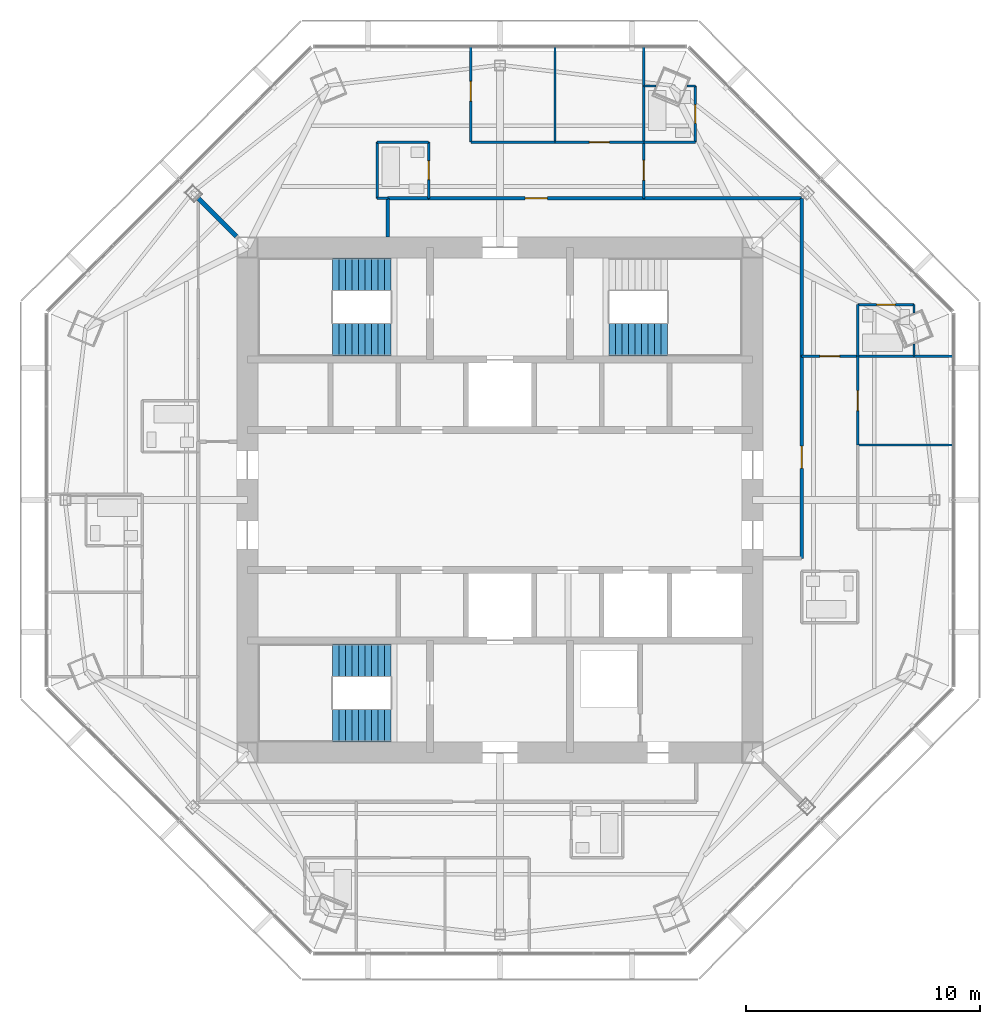
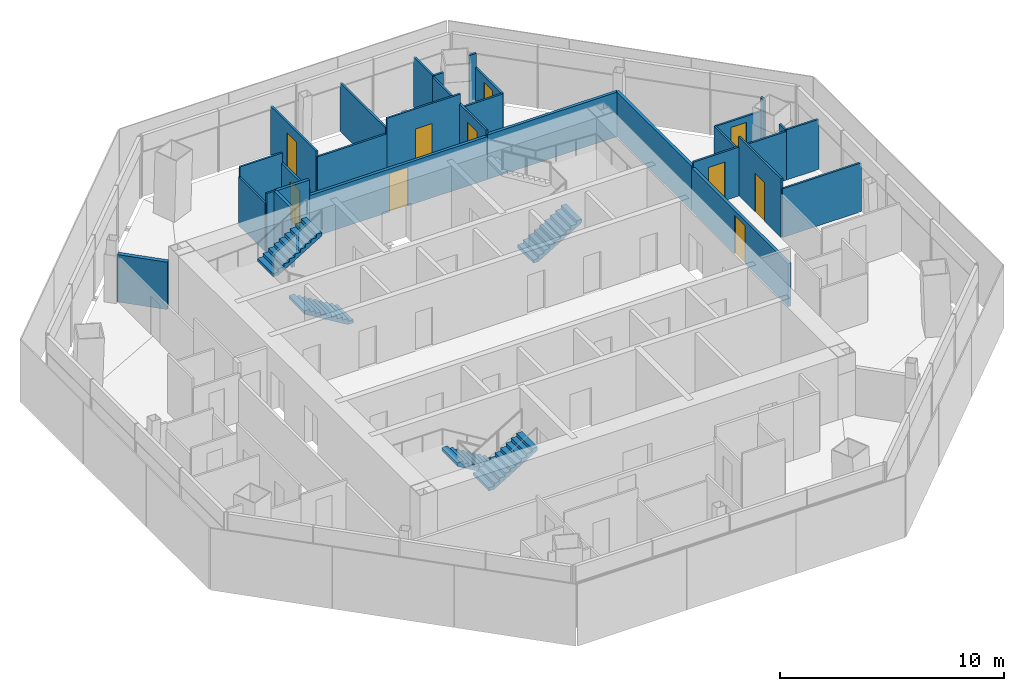
# One storey, part 11 of 15: 29 walls, 10 doors, 5 stair flights, 10 openings, 3 elements without a shape of their own.
"""IFC4 building model written with IfcOpenShell, lengths in metres."""

import ifcopenshell
import ifcopenshell.guid

model = None  # the IFC model being written
_history = None  # IfcOwnerHistory: only IFC2X3 demands one
_inside = {}  # id of a spatial element -> (the spatial element, [elements in it])
_under = {}  # id of a project, library or spatial element -> (it, [spatial elements below it])
_declared = {}  # id of a project -> (the project, [libraries it declares])
_typed = {}  # id of a type object -> (the type object, [elements of that type])
_made_of = {}  # id of a material, layer set ... -> (it, [elements and type objects made of it])


def new_model(schema):
    """Start an empty IFC model of exactly this schema.

    Asked for "IFC4X3", IfcOpenShell would pick the latest addendum, in which some entities
    have other attributes; the version numbers below select the first issue.
    IFC2X3 requires an IfcOwnerHistory on every rooted entity: one is made here for all.
    """
    global model, _history
    if schema == "IFC4X3":
        model = ifcopenshell.file(schema_version=(4, 3, 0, 0))
    else:
        model = ifcopenshell.file(schema=schema)
    _inside.clear()
    _under.clear()
    _declared.clear()
    _typed.clear()
    _made_of.clear()
    _history = None
    if model.schema == "IFC2X3":
        org = make("IfcOrganization", Name="unknown")
        user = make(
            "IfcPersonAndOrganization",
            ThePerson=make("IfcPerson", FamilyName="unknown"),
            TheOrganization=org,
        )
        app = make(
            "IfcApplication",
            ApplicationDeveloper=org,
            Version="unknown",
            ApplicationFullName="unknown",
            ApplicationIdentifier="unknown",
        )
        _history = make(
            "IfcOwnerHistory",
            OwningUser=user,
            OwningApplication=app,
            ChangeAction="ADDED",
            CreationDate=0,
        )
    return model


def make(cls, **values):
    """One entity of the class cls with the attributes given. An attribute that is None is left unset."""
    return model.create_entity(
        cls, **{name: value for name, value in values.items() if value is not None}
    )


def rooted(cls, **values):
    """An entity with a GlobalId (a new one), such as an element, a storey or a relation."""
    return make(cls, GlobalId=ifcopenshell.guid.new(), OwnerHistory=_history, **values)


def si_unit(unit_type, name, prefix=None):
    """IfcSIUnit, for example si_unit("LENGTHUNIT", "METRE", prefix="MILLI")."""
    return make("IfcSIUnit", UnitType=unit_type, Prefix=prefix, Name=name)


def assignment(units):
    """IfcUnitAssignment: the units of a project."""
    return None if units is None else make("IfcUnitAssignment", Units=units)


def point(xyz):
    """IfcCartesianPoint."""
    return None if xyz is None else make("IfcCartesianPoint", Coordinates=xyz)


def direction(xyz):
    """IfcDirection."""
    return None if xyz is None else make("IfcDirection", DirectionRatios=xyz)


def frame(location, z_axis=None, x_axis=None):
    """IfcAxis2Placement3D, a coordinate frame: its origin and axes. An axis left out is left unset."""
    return make(
        "IfcAxis2Placement3D",
        Location=point(location),
        Axis=direction(z_axis),
        RefDirection=direction(x_axis),
    )


def frame_2d(location, x_axis=None):
    """IfcAxis2Placement2D, a coordinate frame in the plane: its origin and x axis."""
    return make(
        "IfcAxis2Placement2D", Location=point(location), RefDirection=direction(x_axis)
    )


def origin():
    """The frame at (0, 0, 0) with its axes left unset."""
    return frame((0.0, 0.0, 0.0))


def place(relative_to, where):
    """IfcLocalPlacement: puts the frame where relative to a parent placement (None: the world)."""
    return make(
        "IfcLocalPlacement", PlacementRelTo=relative_to, RelativePlacement=where
    )


def context(
    kind, dimensions, precision=None, world=None, true_north=None, identifier=None
):
    """IfcGeometricRepresentationContext, for example the 3D "Model" context."""
    return make(
        "IfcGeometricRepresentationContext",
        ContextIdentifier=identifier,
        ContextType=kind,
        CoordinateSpaceDimension=dimensions,
        Precision=precision,
        WorldCoordinateSystem=world,
        TrueNorth=true_north,
    )


def subcontext(parent, identifier, kind, view, scale=None):
    """IfcGeometricRepresentationSubContext, for example "Body" below "Model"."""
    return make(
        "IfcGeometricRepresentationSubContext",
        ContextIdentifier=identifier,
        ContextType=kind,
        ParentContext=parent,
        TargetScale=scale,
        TargetView=view,
    )


def project(units=None, contexts=None):
    """IfcProject with its units and contexts."""
    return rooted(
        "IfcProject",
        Name="project",
        RepresentationContexts=contexts,
        UnitsInContext=assignment(units),
    )


def spatial(cls, under=None, at=None, **own):
    """A site, building, storey or space (cls), placed at a placement, below another one or the project."""
    s = rooted(cls, ObjectPlacement=at, **own)
    if under is not None:
        _under.setdefault(under.id(), (under, []))[1].append(s)
    return s


def polyline(points):
    """IfcPolyline through the points."""
    return make("IfcPolyline", Points=[point(p) for p in points])


def profile(cls, at=None, kind="AREA", **sizes):
    """A parametric profile (cls). Its sizes go by their IFC names, for example OverallWidth=200.0."""
    return make(cls, ProfileType=kind, Position=at, **sizes)


def rectangle(**sizes):
    """IfcRectangleProfileDef."""
    return profile("IfcRectangleProfileDef", **sizes)


def outline(outer, holes=None, kind="AREA"):
    """IfcArbitraryClosedProfileDef: a profile drawn as a closed curve; with holes, ...WithVoids."""
    if holes is None:
        return make("IfcArbitraryClosedProfileDef", ProfileType=kind, OuterCurve=outer)
    return make(
        "IfcArbitraryProfileDefWithVoids",
        ProfileType=kind,
        OuterCurve=outer,
        InnerCurves=holes,
    )


def extrude(swept, where, along, depth):
    """IfcExtrudedAreaSolid: the profile swept, set in the frame where, extruded along a direction by depth."""
    return make(
        "IfcExtrudedAreaSolid",
        SweptArea=swept,
        Position=where,
        ExtrudedDirection=direction(along),
        Depth=depth,
    )


def shape(context_of_items, identifier, shape_type, items):
    """IfcShapeRepresentation: the items that make up one representation, for example the "Body"."""
    return make(
        "IfcShapeRepresentation",
        ContextOfItems=context_of_items,
        RepresentationIdentifier=identifier,
        RepresentationType=shape_type,
        Items=items,
    )


def material(Name=None, Category=None):
    """IfcMaterial."""
    return make("IfcMaterial", Name=Name, Category=Category)


def layer(
    of_material, thickness, ventilated=None, Name=None, Category=None, Priority=None
):
    """IfcMaterialLayer: one layer of a wall or slab, of a material (None: an air gap)."""
    return make(
        "IfcMaterialLayer",
        Material=of_material,
        LayerThickness=thickness,
        IsVentilated=ventilated,
        Name=Name,
        Category=Category,
        Priority=Priority,
    )


def layer_set(layers, Name=None):
    """IfcMaterialLayerSet."""
    return make("IfcMaterialLayerSet", MaterialLayers=layers, LayerSetName=Name)


def made_of(thing, what):
    """Note that an element or type object is made of a material, layer set ...; save() writes the relation."""
    if what is not None:
        _made_of.setdefault(what.id(), (what, []))[1].append(thing)
    return thing


def type_object(cls, material=None, **own):
    """A type object (cls), such as IfcWallType, which elements share."""
    return made_of(rooted(cls, **own), material)


def element(
    cls,
    number,
    at=None,
    inside=None,
    cuts=None,
    type_object=None,
    material=None,
    context=None,
    identifier="Body",
    shape_type=None,
    held_by="IfcProductDefinitionShape",
    body=None,
    shapes=None,
    **own,
):
    """One element of the class cls, such as IfcWall. Its Tag is "e" and its number.

    at: its placement. inside: the storey or other place that contains it. cuts: it is an
    opening in that element (IfcRelVoidsElement). A single representation is given by context,
    identifier, shape_type and body (its items); several are given by shapes. held_by: the class
    of the entity that holds the representations. save() writes the other relations.
    """
    e = rooted(cls, Tag="e%d" % number, ObjectPlacement=at, **own)
    if body is not None:
        shapes = [shape(context, identifier, shape_type, body)]
    if shapes is not None:
        e.Representation = make(held_by, Representations=shapes)
    if inside is not None:
        _inside.setdefault(inside.id(), (inside, []))[1].append(e)
    if cuts is not None:
        rooted(
            "IfcRelVoidsElement", RelatingBuildingElement=cuts, RelatedOpeningElement=e
        )
    if type_object is not None:
        _typed.setdefault(type_object.id(), (type_object, []))[1].append(e)
    return made_of(e, material)


def fill(opening, filler):
    """IfcRelFillsElement: the door or window that sits in an opening."""
    return rooted(
        "IfcRelFillsElement",
        RelatingOpeningElement=opening,
        RelatedBuildingElement=filler,
    )


def aggregate(whole, parts):
    """IfcRelAggregates: a whole, such as a stair, and the parts it consists of."""
    return rooted("IfcRelAggregates", RelatingObject=whole, RelatedObjects=parts)


def save(model, path):
    """Write the relations noted so far, then the file.

    IfcRelAggregates (storeys below a building ...), IfcRelContainedInSpatialStructure (elements
    in a storey), IfcRelDefinesByType, IfcRelAssociatesMaterial and IfcRelDeclares: one each for
    every whole, place, type object, material and project.
    """
    for whole, parts in _under.values():
        aggregate(whole, parts)
    for where, things in _inside.values():
        rooted(
            "IfcRelContainedInSpatialStructure",
            RelatedElements=things,
            RelatingStructure=where,
        )
    for kind, things in _typed.values():
        rooted("IfcRelDefinesByType", RelatedObjects=things, RelatingType=kind)
    for what, things in _made_of.values():
        rooted("IfcRelAssociatesMaterial", RelatedObjects=things, RelatingMaterial=what)
    for by, libraries in _declared.values():
        rooted("IfcRelDeclares", RelatingContext=by, RelatedDefinitions=libraries)
    model.write(path)


model = new_model("IFC4")

# Units and contexts
model_context = context("Model", 3, precision=1e-05, world=origin(), true_north=direction((0.0, 1.0)))
body_context = subcontext(model_context, "Body", "Model", "MODEL_VIEW")
ifc_project = project(units=[si_unit("LENGTHUNIT", "METRE"), si_unit("AREAUNIT", "SQUARE_METRE"), si_unit("VOLUMEUNIT", "CUBIC_METRE"), si_unit("PLANEANGLEUNIT", "RADIAN"), si_unit("MASSUNIT", "GRAM", prefix="KILO")], contexts=[model_context])

# Site, building, storey
site_placement = place(None, origin())
site = spatial("IfcSite", under=ifc_project, at=site_placement, CompositionType="ELEMENT")
building_placement = place(site_placement, origin())
building = spatial("IfcBuilding", under=site, at=building_placement, Name="Mashrafa Tower", CompositionType="ELEMENT")
storey_placement = place(building_placement, frame((0.0, 0.0, 304.800048828125)))
storey = spatial("IfcBuildingStorey", under=building, at=storey_placement, Name="L75", CompositionType="ELEMENT", Elevation=304.800048828125)

# Walls
ifc_material_1 = material(Name="Gypsum board on steel studs", Category="steel")
ifc_layer_1 = layer(ifc_material_1, 0.199951171875)
ifc_layer_set_1 = layer_set([ifc_layer_1], Name="Acoustic partition 200 1 hr")
wall_type_1 = type_object("IfcWallType", Name="Acoustic partition 200 1 hr", PredefinedType="PARTITIONING", material=ifc_layer_set_1)
wall_1_placement = place(storey_placement, frame((-12.90087890625, 12.90087890625, 0.0), z_axis=(0.0, 0.0, 1.0), x_axis=(0.707106781187, -0.707106781187, 0.0)))
element("IfcWall", 1, at=wall_1_placement, inside=storey, type_object=wall_type_1, Name="Acoustic wall L75-049", PredefinedType="PARTITIONING", context=body_context, shape_type="SweptSolid", body=[
    extrude(rectangle(XDim=2.307861328125, YDim=0.199951171875, at=frame_2d((1.15380859375, 0.0))), origin(), (0.0, 0.0, 1.0), 2.590576171875),
])
ifc_material_2 = material(Name="Gypsum board on steel studs", Category="steel")
ifc_layer_2 = layer(ifc_material_2, 0.14990234375)
ifc_layer_set_2 = layer_set([ifc_layer_2], Name="Corridor partition 150 1 hr")
wall_type_2 = type_object("IfcWallType", Name="Corridor partition 150 1 hr", PredefinedType="PARTITIONING", material=ifc_layer_set_2)
wall_2_placement = place(storey_placement, frame((12.89990234375, 6.14892578125, 0.0), z_axis=(0.0, 0.0, 1.0), x_axis=(0.0, 1.0, 0.0)))
element("IfcWall", 2, at=wall_2_placement, inside=storey, type_object=wall_type_2, Name="Corridor wall L75-001", PredefinedType="PARTITIONING", context=body_context, shape_type="SweptSolid", body=[
    extrude(rectangle(XDim=6.7509765625, YDim=0.14990234375, at=frame_2d((3.37548828125, 0.0))), origin(), (0.0, 0.0, 1.0), 2.435546875),
])

# Wall, opening, door
wall_3_placement = place(storey_placement, frame((12.89990234375, -2.5, 0.0), z_axis=(0.0, 0.0, 1.0), x_axis=(0.0, 1.0, 0.0)))
wall_3 = element("IfcWall", 3, at=wall_3_placement, inside=storey, type_object=wall_type_2, Name="Corridor wall L75-003", PredefinedType="PARTITIONING", context=body_context, shape_type="SweptSolid", body=[
    extrude(rectangle(XDim=8.65087890625, YDim=0.14990234375, at=frame_2d((4.325439453125, 0.0))), origin(), (0.0, 0.0, 1.0), 2.349365234375),
])
opening_1_placement = place(wall_3_placement, frame((3.8505859375, 0.0, 0.0)))
opening_1 = element("IfcOpeningElement", 4, at=opening_1_placement, cuts=wall_3, Name="Opening 75.006", PredefinedType="OPENING", context=body_context, shape_type="SweptSolid", body=[
    extrude(rectangle(XDim=0.949951171875, YDim=2.10009765625, at=frame_2d((0.47509765625, 1.050048828125))), frame((0.0, 0.0849609375, 0.0), z_axis=(0.0, -1.0, 0.0), x_axis=(1.0, 0.0, 0.0)), (0.0, 0.0, 1.0), 0.169921875),
])
ifc_material_3 = material(Name="Steel door", Category="steel")
door_type_1 = type_object("IfcDoorType", Name="Residence entrance door 950 x 2100 20 min", OperationType="USERDEFINED", PredefinedType="DOOR", material=ifc_material_3)
door_1_placement = place(opening_1_placement, frame((0.949951171875, 0.0, 0.0), z_axis=(0.0, 0.0, 1.0), x_axis=(-1.0, 0.0, 0.0)))
door_1 = element("IfcDoor", 5, at=door_1_placement, inside=storey, type_object=door_type_1, Name="Apartment 7501 Living Room door", OperationType="SINGLE_SWING_LEFT", OverallHeight=2.10009765625, OverallWidth=0.949951171875, PredefinedType="DOOR", context=body_context, shape_type="SweptSolid", body=[
    extrude(rectangle(XDim=0.949951171875, YDim=2.10009765625, at=frame_2d((0.47509765625, 1.050048828125))), frame((0.0, 0.02490234375, 0.0), z_axis=(0.0, -1.0, 0.0), x_axis=(1.0, 0.0, 0.0)), (0.0, 0.0, 1.0), 0.050048828125),
])
fill(opening_1, door_1)

# Walls
wall_4_placement = place(storey_placement, frame((-3.049072265625, 12.89990234375, 0.0), z_axis=(0.0, 0.0, 1.0), x_axis=(-1.0, 0.0, 0.0)))
element("IfcWall", 6, at=wall_4_placement, inside=storey, type_object=wall_type_2, Name="Corridor wall L75-004", PredefinedType="PARTITIONING", context=body_context, shape_type="SweptSolid", body=[
    extrude(rectangle(XDim=1.7509765625, YDim=0.14990234375, at=frame_2d((0.87548828125, 0.0))), origin(), (0.0, 0.0, 1.0), 3.199951171875),
])
wall_5_placement = place(storey_placement, frame((12.89990234375, 12.89990234375, 0.0), z_axis=(0.0, 0.0, 1.0), x_axis=(-1.0, 0.0, 0.0)))
element("IfcWall", 7, at=wall_5_placement, inside=storey, type_object=wall_type_2, Name="Corridor wall L75-005", PredefinedType="PARTITIONING", context=body_context, shape_type="SweptSolid", body=[
    extrude(rectangle(XDim=6.7509765625, YDim=0.14990234375, at=frame_2d((3.37548828125, 0.0))), origin(), (0.0, 0.0, 1.0), 2.435546875),
])
wall_6_placement = place(storey_placement, frame((-4.800048828125, 12.89990234375, 0.0), z_axis=(0.0, 0.0, 1.0), x_axis=(0.0, -1.0, 0.0)))
element("IfcWall", 8, at=wall_6_placement, inside=storey, type_object=wall_type_2, Name="Corridor wall L75-006", PredefinedType="PARTITIONING", context=body_context, shape_type="SweptSolid", body=[
    extrude(rectangle(XDim=1.64990234375, YDim=0.14990234375, at=frame_2d((0.824951171875, 0.0))), origin(), (0.0, 0.0, 1.0), 3.199951171875),
])

# Wall, opening, door
wall_7_placement = place(storey_placement, frame((6.15087890625, 12.89990234375, 0.0), z_axis=(0.0, 0.0, 1.0), x_axis=(-1.0, 0.0, 0.0)))
wall_7 = element("IfcWall", 9, at=wall_7_placement, inside=storey, type_object=wall_type_2, Name="Corridor wall L75-007", PredefinedType="PARTITIONING", context=body_context, shape_type="SweptSolid", body=[
    extrude(rectangle(XDim=9.201904296875, YDim=0.14990234375, at=frame_2d((4.60107421875, 0.0))), origin(), (0.0, 0.0, 1.0), 2.349365234375),
])
opening_2_placement = place(wall_7_placement, frame((4.1259765625, 0.0, 0.0)))
opening_2 = element("IfcOpeningElement", 10, at=opening_2_placement, cuts=wall_7, Name="Opening 75.012", PredefinedType="OPENING", context=body_context, shape_type="SweptSolid", body=[
    extrude(rectangle(XDim=0.949951171875, YDim=2.10009765625, at=frame_2d((0.47509765625, 1.050048828125))), frame((0.0, 0.0849609375, 0.0), z_axis=(0.0, -1.0, 0.0), x_axis=(1.0, 0.0, 0.0)), (0.0, 0.0, 1.0), 0.169921875),
])
door_2_placement = place(opening_2_placement, frame((0.949951171875, 0.0, 0.0), z_axis=(0.0, 0.0, 1.0), x_axis=(-1.0, 0.0, 0.0)))
door_2 = element("IfcDoor", 11, at=door_2_placement, inside=storey, type_object=door_type_1, Name="Apartment 7502 Living Room door", OperationType="SINGLE_SWING_RIGHT", OverallHeight=2.10009765625, OverallWidth=0.949951171875, PredefinedType="DOOR", context=body_context, shape_type="SweptSolid", body=[
    extrude(rectangle(XDim=0.949951171875, YDim=2.10009765625, at=frame_2d((0.47509765625, 1.050048828125))), frame((0.0, 0.02490234375, 0.0), z_axis=(0.0, -1.0, 0.0), x_axis=(1.0, 0.0, 0.0)), (0.0, 0.0, 1.0), 0.050048828125),
])
fill(opening_2, door_2)

# Wall
ifc_material_4 = material(Name="Gypsum board on steel studs", Category="steel")
ifc_layer_3 = layer(ifc_material_4, 0.10009765625)
ifc_layer_set_3 = layer_set([ifc_layer_3], Name="Partition 100")
wall_type_3 = type_object("IfcWallType", Name="Partition 100", PredefinedType="PARTITIONING", material=ifc_layer_set_3)
wall_8_placement = place(storey_placement, frame((19.37451171875, 2.35009765625, 0.0), z_axis=(0.0, 0.0, 1.0), x_axis=(-1.0, 0.0, 0.0)))
element("IfcWall", 12, at=wall_8_placement, inside=storey, type_object=wall_type_3, Name="Partition wall L75-022", PredefinedType="PARTITIONING", context=body_context, shape_type="SweptSolid", body=[
    extrude(rectangle(XDim=4.074462890625, YDim=0.10009765625, at=frame_2d((2.037109375, 0.0))), origin(), (0.0, 0.0, 1.0), 2.66162109375),
])

# Wall, opening, door
wall_9_placement = place(storey_placement, frame((17.700927734375, 6.14990234375, 0.0), z_axis=(0.0, 0.0, 1.0), x_axis=(-1.0, 0.0, 0.0)))
wall_9 = element("IfcWall", 13, at=wall_9_placement, inside=storey, type_object=wall_type_3, Name="Partition wall L75-025", PredefinedType="PARTITIONING", context=body_context, shape_type="SweptSolid", body=[
    extrude(rectangle(XDim=4.801025390625, YDim=0.10009765625, at=frame_2d((2.400390625, 0.0))), origin(), (0.0, 0.0, 1.0), 2.66162109375),
])
opening_3_placement = place(wall_9_placement, frame((3.176025390625, 0.0, 0.0)))
opening_3 = element("IfcOpeningElement", 14, at=opening_3_placement, cuts=wall_9, Name="Opening 75.005", PredefinedType="OPENING", context=body_context, shape_type="SweptSolid", body=[
    extrude(rectangle(XDim=0.85009765625, YDim=2.10009765625, at=frame_2d((0.425048828125, 1.050048828125))), frame((0.0, 0.06005859375, 0.0), z_axis=(0.0, -1.0, 0.0), x_axis=(1.0, 0.0, 0.0)), (0.0, 0.0, 1.0), 0.1201171875),
])
ifc_material_5 = material(Name="Timber door", Category="wood")
door_type_2 = type_object("IfcDoorType", Name="Bedroom door 850 x 2100", OperationType="USERDEFINED", PredefinedType="DOOR", material=ifc_material_5)
door_3_placement = place(opening_3_placement, frame((0.85009765625, 0.0, 0.0), z_axis=(0.0, 0.0, 1.0), x_axis=(-1.0, 0.0, 0.0)))
door_3 = element("IfcDoor", 15, at=door_3_placement, inside=storey, type_object=door_type_2, Name="Apartment 7501 Bedroom 2 door", OperationType="SINGLE_SWING_LEFT", OverallHeight=2.10009765625, OverallWidth=0.85009765625, PredefinedType="DOOR", context=body_context, shape_type="SweptSolid", body=[
    extrude(rectangle(XDim=0.85009765625, YDim=2.10009765625, at=frame_2d((0.425048828125, 1.050048828125))), frame((0.0, 0.02490234375, 0.0), z_axis=(0.0, -1.0, 0.0), x_axis=(1.0, 0.0, 0.0)), (0.0, 0.0, 1.0), 0.050048828125),
])
fill(opening_3, door_3)

# Wall
wall_10_placement = place(storey_placement, frame((19.37451171875, 6.14990234375, 0.0), z_axis=(0.0, 0.0, 1.0), x_axis=(-1.0, 0.0, 0.0)))
element("IfcWall", 16, at=wall_10_placement, inside=storey, type_object=wall_type_3, Name="Partition wall L75-026", PredefinedType="PARTITIONING", context=body_context, shape_type="SweptSolid", body=[
    extrude(rectangle(XDim=1.675537109375, YDim=0.10009765625, at=frame_2d((0.837890625, 0.0))), origin(), (0.0, 0.0, 1.0), 2.740234375),
])

# Wall, opening, door
wall_11_placement = place(storey_placement, frame((15.300048828125, 6.14990234375, 0.0), z_axis=(0.0, 0.0, 1.0), x_axis=(0.0, -1.0, 0.0)))
wall_11 = element("IfcWall", 17, at=wall_11_placement, inside=storey, type_object=wall_type_3, Name="Partition wall L75-027", PredefinedType="PARTITIONING", context=body_context, shape_type="SweptSolid", body=[
    extrude(rectangle(XDim=3.7998046875, YDim=0.10009765625, at=frame_2d((1.89990234375, 0.0))), origin(), (0.0, 0.0, 1.0), 3.199951171875),
])
opening_4_placement = place(wall_11_placement, frame((1.47509765625, 0.0, 0.0)))
opening_4 = element("IfcOpeningElement", 18, at=opening_4_placement, cuts=wall_11, Name="Opening 75.003", PredefinedType="OPENING", context=body_context, shape_type="SweptSolid", body=[
    extrude(rectangle(XDim=0.85009765625, YDim=2.10009765625, at=frame_2d((0.425048828125, 1.050048828125))), frame((0.0, 0.06005859375, 0.0), z_axis=(0.0, -1.0, 0.0), x_axis=(1.0, 0.0, 0.0)), (0.0, 0.0, 1.0), 0.1201171875),
])
door_4_placement = place(opening_4_placement, origin())
door_4 = element("IfcDoor", 19, at=door_4_placement, inside=storey, type_object=door_type_2, Name="Apartment 7501 Bedroom 1 door", OperationType="SINGLE_SWING_LEFT", OverallHeight=2.10009765625, OverallWidth=0.85009765625, PredefinedType="DOOR", context=body_context, shape_type="SweptSolid", body=[
    extrude(rectangle(XDim=0.85009765625, YDim=2.10009765625, at=frame_2d((0.425048828125, 1.050048828125))), frame((0.0, 0.02490234375, 0.0), z_axis=(0.0, -1.0, 0.0), x_axis=(1.0, 0.0, 0.0)), (0.0, 0.0, 1.0), 0.050048828125),
])
fill(opening_4, door_4)

# Walls
wall_12_placement = place(storey_placement, frame((17.699951171875, 6.14990234375, 0.0), z_axis=(0.0, 0.0, 1.0), x_axis=(0.0, 1.0, 0.0)))
element("IfcWall", 20, at=wall_12_placement, inside=storey, type_object=wall_type_3, Name="Partition wall L75-028", PredefinedType="PARTITIONING", context=body_context, shape_type="SweptSolid", body=[
    extrude(rectangle(XDim=0.51171875, YDim=0.10009765625, at=frame_2d((0.255859375, 0.0))), origin(), (0.0, 0.0, 1.0), 2.740234375),
])
wall_13_placement = place(storey_placement, frame((17.699951171875, 8.001708984375, 0.0), z_axis=(0.0, 0.0, 1.0), x_axis=(0.0, 1.0, 0.0)))
element("IfcWall", 21, at=wall_13_placement, inside=storey, type_object=wall_type_3, Name="Partition wall L75-029", PredefinedType="PARTITIONING", context=body_context, shape_type="SweptSolid", body=[
    extrude(rectangle(XDim=0.348388671875, YDim=0.10009765625, at=frame_2d((0.17431640625, 0.0))), origin(), (0.0, 0.0, 1.0), 3.199951171875),
])

# Wall, opening, door
wall_14_placement = place(storey_placement, frame((17.699951171875, 8.35009765625, 0.0), z_axis=(0.0, 0.0, 1.0), x_axis=(-1.0, 0.0, 0.0)))
wall_14 = element("IfcWall", 22, at=wall_14_placement, inside=storey, type_object=wall_type_3, Name="Partition wall L75-030", PredefinedType="PARTITIONING", context=body_context, shape_type="SweptSolid", body=[
    extrude(rectangle(XDim=2.39990234375, YDim=0.10009765625, at=frame_2d((1.199951171875, 0.0))), origin(), (0.0, 0.0, 1.0), 2.435546875),
])
opening_5_placement = place(wall_14_placement, frame((0.800048828125, 0.0, 0.0)))
opening_5 = element("IfcOpeningElement", 23, at=opening_5_placement, cuts=wall_14, Name="Opening 75.004", PredefinedType="OPENING", context=body_context, shape_type="SweptSolid", body=[
    extrude(rectangle(XDim=0.800048828125, YDim=2.10009765625, at=frame_2d((0.39990234375, 1.050048828125))), frame((0.0, 0.06005859375, 0.0), z_axis=(0.0, -1.0, 0.0), x_axis=(1.0, 0.0, 0.0)), (0.0, 0.0, 1.0), 0.1201171875),
])
ifc_material_6 = material(Name="Timber door", Category="wood")
door_type_3 = type_object("IfcDoorType", Name="Bathroom door 800 x 2100", OperationType="USERDEFINED", PredefinedType="DOOR", material=ifc_material_6)
door_5_placement = place(opening_5_placement, origin())
door_5 = element("IfcDoor", 24, at=door_5_placement, inside=storey, type_object=door_type_3, Name="Apartment 7501 En-suite Bathroom door", OperationType="SINGLE_SWING_RIGHT", OverallHeight=2.10009765625, OverallWidth=0.800048828125, PredefinedType="DOOR", context=body_context, shape_type="SweptSolid", body=[
    extrude(rectangle(XDim=0.800048828125, YDim=2.10009765625, at=frame_2d((0.39990234375, 1.050048828125))), frame((0.0, 0.02490234375, 0.0), z_axis=(0.0, -1.0, 0.0), x_axis=(1.0, 0.0, 0.0)), (0.0, 0.0, 1.0), 0.050048828125),
])
fill(opening_5, door_5)

# Walls
wall_15_placement = place(storey_placement, frame((15.300048828125, 8.35009765625, 0.0), z_axis=(0.0, 0.0, 1.0), x_axis=(0.0, -1.0, 0.0)))
element("IfcWall", 25, at=wall_15_placement, inside=storey, type_object=wall_type_3, Name="Partition wall L75-031", PredefinedType="PARTITIONING", context=body_context, shape_type="SweptSolid", body=[
    extrude(rectangle(XDim=2.2001953125, YDim=0.10009765625, at=frame_2d((1.10009765625, 0.0))), origin(), (0.0, 0.0, 1.0), 2.435546875),
])
wall_16_placement = place(storey_placement, frame((-5.25, 12.89990234375, 0.0), z_axis=(0.0, 0.0, 1.0), x_axis=(0.0, 1.0, 0.0)))
element("IfcWall", 26, at=wall_16_placement, inside=storey, type_object=wall_type_3, Name="Partition wall L75-034", PredefinedType="PARTITIONING", context=body_context, shape_type="SweptSolid", body=[
    extrude(rectangle(XDim=2.400146484375, YDim=0.10009765625, at=frame_2d((1.2001953125, 0.0))), origin(), (0.0, 0.0, 1.0), 2.66162109375),
])
wall_17_placement = place(storey_placement, frame((-5.25, 12.89990234375, 0.0), z_axis=(0.0, 0.0, 1.0), x_axis=(1.0, 0.0, 0.0)))
element("IfcWall", 27, at=wall_17_placement, inside=storey, type_object=wall_type_3, Name="Partition wall L75-035", PredefinedType="PARTITIONING", context=body_context, shape_type="SweptSolid", body=[
    extrude(rectangle(XDim=0.450927734375, YDim=0.10009765625, at=frame_2d((0.2255859375, 0.0))), origin(), (0.0, 0.0, 1.0), 3.199951171875),
])

# Wall, opening, door
wall_18_placement = place(storey_placement, frame((-3.050048828125, 12.89990234375, 0.0), z_axis=(0.0, 0.0, 1.0), x_axis=(0.0, 1.0, 0.0)))
wall_18 = element("IfcWall", 28, at=wall_18_placement, inside=storey, type_object=wall_type_3, Name="Partition wall L75-036", PredefinedType="PARTITIONING", context=body_context, shape_type="SweptSolid", body=[
    extrude(rectangle(XDim=2.400146484375, YDim=0.10009765625, at=frame_2d((1.2001953125, 0.0))), origin(), (0.0, 0.0, 1.0), 2.66162109375),
])
opening_6_placement = place(wall_18_placement, frame((0.800048828125, 0.0, 0.0)))
opening_6 = element("IfcOpeningElement", 29, at=opening_6_placement, cuts=wall_18, Name="Opening 75.007", PredefinedType="OPENING", context=body_context, shape_type="SweptSolid", body=[
    extrude(rectangle(XDim=0.800048828125, YDim=2.10009765625, at=frame_2d((0.39990234375, 1.050048828125))), frame((0.0, 0.06005859375, 0.0), z_axis=(0.0, -1.0, 0.0), x_axis=(1.0, 0.0, 0.0)), (0.0, 0.0, 1.0), 0.1201171875),
])
door_6_placement = place(opening_6_placement, origin())
door_6 = element("IfcDoor", 30, at=door_6_placement, inside=storey, type_object=door_type_3, Name="Apartment 7502 Bathroom door", OperationType="SINGLE_SWING_LEFT", OverallHeight=2.10009765625, OverallWidth=0.800048828125, PredefinedType="DOOR", context=body_context, shape_type="SweptSolid", body=[
    extrude(rectangle(XDim=0.800048828125, YDim=2.10009765625, at=frame_2d((0.39990234375, 1.050048828125))), frame((0.0, 0.02490234375, 0.0), z_axis=(0.0, -1.0, 0.0), x_axis=(1.0, 0.0, 0.0)), (0.0, 0.0, 1.0), 0.050048828125),
])
fill(opening_6, door_6)

# Walls
wall_19_placement = place(storey_placement, frame((-3.050048828125, 15.300048828125, 0.0), z_axis=(0.0, 0.0, 1.0), x_axis=(-1.0, 0.0, 0.0)))
element("IfcWall", 31, at=wall_19_placement, inside=storey, type_object=wall_type_3, Name="Partition wall L75-037", PredefinedType="PARTITIONING", context=body_context, shape_type="SweptSolid", body=[
    extrude(rectangle(XDim=2.199951171875, YDim=0.10009765625, at=frame_2d((1.10009765625, 0.0))), origin(), (0.0, 0.0, 1.0), 3.199951171875),
])
wall_20_placement = place(storey_placement, frame((2.35009765625, 15.300048828125, 0.0), z_axis=(0.0, 0.0, 1.0), x_axis=(0.0, 1.0, 0.0)))
element("IfcWall", 32, at=wall_20_placement, inside=storey, type_object=wall_type_3, Name="Partition wall L75-038", PredefinedType="PARTITIONING", context=body_context, shape_type="SweptSolid", body=[
    extrude(rectangle(XDim=4.074462890625, YDim=0.10009765625, at=frame_2d((2.037109375, 0.0))), origin(), (0.0, 0.0, 1.0), 2.66162109375),
])

# Wall, opening, door
wall_21_placement = place(storey_placement, frame((-1.25, 19.37646484375, 0.0), z_axis=(0.0, 0.0, 1.0), x_axis=(0.0, -1.0, 0.0)))
wall_21 = element("IfcWall", 33, at=wall_21_placement, inside=storey, type_object=wall_type_3, Name="Partition wall L75-039", PredefinedType="PARTITIONING", context=body_context, shape_type="SweptSolid", body=[
    extrude(rectangle(XDim=4.076416015625, YDim=0.10009765625, at=frame_2d((2.0380859375, 0.0))), origin(), (0.0, 0.0, 1.0), 2.66162109375),
])
opening_7_placement = place(wall_21_placement, frame((1.47509765625, 0.0, 0.0)))
opening_7 = element("IfcOpeningElement", 34, at=opening_7_placement, cuts=wall_21, Name="Opening 75.008", PredefinedType="OPENING", context=body_context, shape_type="SweptSolid", body=[
    extrude(rectangle(XDim=0.85009765625, YDim=2.10009765625, at=frame_2d((0.425048828125, 1.050048828125))), frame((0.0, 0.06005859375, 0.0), z_axis=(0.0, -1.0, 0.0), x_axis=(1.0, 0.0, 0.0)), (0.0, 0.0, 1.0), 0.1201171875),
])
door_7_placement = place(opening_7_placement, origin())
door_7 = element("IfcDoor", 35, at=door_7_placement, inside=storey, type_object=door_type_2, Name="Apartment 7502 Majlis door", OperationType="SINGLE_SWING_LEFT", OverallHeight=2.10009765625, OverallWidth=0.85009765625, PredefinedType="DOOR", context=body_context, shape_type="SweptSolid", body=[
    extrude(rectangle(XDim=0.85009765625, YDim=2.10009765625, at=frame_2d((0.425048828125, 1.050048828125))), frame((0.0, 0.02490234375, 0.0), z_axis=(0.0, -1.0, 0.0), x_axis=(1.0, 0.0, 0.0)), (0.0, 0.0, 1.0), 0.050048828125),
])
fill(opening_7, door_7)

# Wall
wall_22_placement = place(storey_placement, frame((-1.25, 15.300048828125, 0.0), z_axis=(0.0, 0.0, 1.0), x_axis=(1.0, 0.0, 0.0)))
element("IfcWall", 36, at=wall_22_placement, inside=storey, type_object=wall_type_3, Name="Partition wall L75-040", PredefinedType="PARTITIONING", context=body_context, shape_type="SweptSolid", body=[
    extrude(rectangle(XDim=3.60009765625, YDim=0.10009765625, at=frame_2d((1.800048828125, 0.0))), origin(), (0.0, 0.0, 1.0), 2.349365234375),
])

# Wall, opening, door
wall_23_placement = place(storey_placement, frame((6.14990234375, 17.700927734375, 0.0), z_axis=(0.0, 0.0, 1.0), x_axis=(0.0, -1.0, 0.0)))
wall_23 = element("IfcWall", 37, at=wall_23_placement, inside=storey, type_object=wall_type_3, Name="Partition wall L75-041", PredefinedType="PARTITIONING", context=body_context, shape_type="SweptSolid", body=[
    extrude(rectangle(XDim=4.801025390625, YDim=0.10009765625, at=frame_2d((2.400390625, 0.0))), origin(), (0.0, 0.0, 1.0), 2.66162109375),
])
opening_8_placement = place(wall_23_placement, frame((3.176025390625, 0.0, 0.0)))
opening_8 = element("IfcOpeningElement", 38, at=opening_8_placement, cuts=wall_23, Name="Opening 75.011", PredefinedType="OPENING", context=body_context, shape_type="SweptSolid", body=[
    extrude(rectangle(XDim=0.85009765625, YDim=2.10009765625, at=frame_2d((0.425048828125, 1.050048828125))), frame((0.0, 0.06005859375, 0.0), z_axis=(0.0, -1.0, 0.0), x_axis=(1.0, 0.0, 0.0)), (0.0, 0.0, 1.0), 0.1201171875),
])
door_8_placement = place(opening_8_placement, origin())
door_8 = element("IfcDoor", 39, at=door_8_placement, inside=storey, type_object=door_type_2, Name="Apartment 7502 Bedroom 2 door", OperationType="SINGLE_SWING_RIGHT", OverallHeight=2.10009765625, OverallWidth=0.85009765625, PredefinedType="DOOR", context=body_context, shape_type="SweptSolid", body=[
    extrude(rectangle(XDim=0.85009765625, YDim=2.10009765625, at=frame_2d((0.425048828125, 1.050048828125))), frame((0.0, 0.02490234375, 0.0), z_axis=(0.0, -1.0, 0.0), x_axis=(1.0, 0.0, 0.0)), (0.0, 0.0, 1.0), 0.050048828125),
])
fill(opening_8, door_8)

# Wall
wall_24_placement = place(storey_placement, frame((6.14990234375, 17.698974609375, 0.0), z_axis=(0.0, 0.0, 1.0), x_axis=(0.0, 1.0, 0.0)))
element("IfcWall", 40, at=wall_24_placement, inside=storey, type_object=wall_type_3, Name="Partition wall L75-042", PredefinedType="PARTITIONING", context=body_context, shape_type="SweptSolid", body=[
    extrude(rectangle(XDim=1.675537109375, YDim=0.10009765625, at=frame_2d((0.837890625, 0.0))), origin(), (0.0, 0.0, 1.0), 2.740234375),
])

# Wall, opening, door
wall_25_placement = place(storey_placement, frame((2.35009765625, 15.300048828125, 0.0), z_axis=(0.0, 0.0, 1.0), x_axis=(1.0, 0.0, 0.0)))
wall_25 = element("IfcWall", 41, at=wall_25_placement, inside=storey, type_object=wall_type_3, Name="Partition wall L75-043", PredefinedType="PARTITIONING", context=body_context, shape_type="SweptSolid", body=[
    extrude(rectangle(XDim=3.7998046875, YDim=0.10009765625, at=frame_2d((1.89990234375, 0.0))), origin(), (0.0, 0.0, 1.0), 3.199951171875),
])
opening_9_placement = place(wall_25_placement, frame((1.47509765625, 0.0, 0.0)))
opening_9 = element("IfcOpeningElement", 42, at=opening_9_placement, cuts=wall_25, Name="Opening 75.009", PredefinedType="OPENING", context=body_context, shape_type="SweptSolid", body=[
    extrude(rectangle(XDim=0.85009765625, YDim=2.10009765625, at=frame_2d((0.425048828125, 1.050048828125))), frame((0.0, 0.06005859375, 0.0), z_axis=(0.0, -1.0, 0.0), x_axis=(1.0, 0.0, 0.0)), (0.0, 0.0, 1.0), 0.1201171875),
])
door_9_placement = place(opening_9_placement, origin())
door_9 = element("IfcDoor", 43, at=door_9_placement, inside=storey, type_object=door_type_2, Name="Apartment 7502 Bedroom 1 door", OperationType="SINGLE_SWING_LEFT", OverallHeight=2.10009765625, OverallWidth=0.85009765625, PredefinedType="DOOR", context=body_context, shape_type="SweptSolid", body=[
    extrude(rectangle(XDim=0.85009765625, YDim=2.10009765625, at=frame_2d((0.425048828125, 1.050048828125))), frame((0.0, 0.02490234375, 0.0), z_axis=(0.0, -1.0, 0.0), x_axis=(1.0, 0.0, 0.0)), (0.0, 0.0, 1.0), 0.050048828125),
])
fill(opening_9, door_9)

# Wall
wall_26_placement = place(storey_placement, frame((6.14990234375, 15.300048828125, 0.0), z_axis=(0.0, 0.0, 1.0), x_axis=(1.0, 0.0, 0.0)))
element("IfcWall", 44, at=wall_26_placement, inside=storey, type_object=wall_type_3, Name="Partition wall L75-044", PredefinedType="PARTITIONING", context=body_context, shape_type="SweptSolid", body=[
    extrude(rectangle(XDim=2.2001953125, YDim=0.10009765625, at=frame_2d((1.10009765625, 0.0))), origin(), (0.0, 0.0, 1.0), 2.435546875),
])

# Wall, opening, door
wall_27_placement = place(storey_placement, frame((8.35009765625, 15.300048828125, 0.0), z_axis=(0.0, 0.0, 1.0), x_axis=(0.0, 1.0, 0.0)))
wall_27 = element("IfcWall", 45, at=wall_27_placement, inside=storey, type_object=wall_type_3, Name="Partition wall L75-045", PredefinedType="PARTITIONING", context=body_context, shape_type="SweptSolid", body=[
    extrude(rectangle(XDim=2.39990234375, YDim=0.10009765625, at=frame_2d((1.199951171875, 0.0))), origin(), (0.0, 0.0, 1.0), 2.435546875),
])
opening_10_placement = place(wall_27_placement, frame((0.800048828125, 0.0, 0.0)))
opening_10 = element("IfcOpeningElement", 46, at=opening_10_placement, cuts=wall_27, Name="Opening 75.010", PredefinedType="OPENING", context=body_context, shape_type="SweptSolid", body=[
    extrude(rectangle(XDim=0.800048828125, YDim=2.10009765625, at=frame_2d((0.39990234375, 1.050048828125))), frame((0.0, 0.06005859375, 0.0), z_axis=(0.0, -1.0, 0.0), x_axis=(1.0, 0.0, 0.0)), (0.0, 0.0, 1.0), 0.1201171875),
])
door_10_placement = place(opening_10_placement, origin())
door_10 = element("IfcDoor", 47, at=door_10_placement, inside=storey, type_object=door_type_3, Name="Apartment 7502 En-suite Bathroom door", OperationType="SINGLE_SWING_LEFT", OverallHeight=2.10009765625, OverallWidth=0.800048828125, PredefinedType="DOOR", context=body_context, shape_type="SweptSolid", body=[
    extrude(rectangle(XDim=0.800048828125, YDim=2.10009765625, at=frame_2d((0.39990234375, 1.050048828125))), frame((0.0, 0.02490234375, 0.0), z_axis=(0.0, -1.0, 0.0), x_axis=(1.0, 0.0, 0.0)), (0.0, 0.0, 1.0), 0.050048828125),
])
fill(opening_10, door_10)

# Walls
wall_28_placement = place(storey_placement, frame((8.35009765625, 17.699951171875, 0.0), z_axis=(0.0, 0.0, 1.0), x_axis=(-1.0, 0.0, 0.0)))
element("IfcWall", 48, at=wall_28_placement, inside=storey, type_object=wall_type_3, Name="Partition wall L75-046", PredefinedType="PARTITIONING", context=body_context, shape_type="SweptSolid", body=[
    extrude(rectangle(XDim=0.348388671875, YDim=0.10009765625, at=frame_2d((0.17431640625, 0.0))), origin(), (0.0, 0.0, 1.0), 3.199951171875),
])
wall_29_placement = place(storey_placement, frame((6.66162109375, 17.699951171875, 0.0), z_axis=(0.0, 0.0, 1.0), x_axis=(-1.0, 0.0, 0.0)))
element("IfcWall", 49, at=wall_29_placement, inside=storey, type_object=wall_type_3, Name="Partition wall L75-047", PredefinedType="PARTITIONING", context=body_context, shape_type="SweptSolid", body=[
    extrude(rectangle(XDim=0.51171875, YDim=0.10009765625, at=frame_2d((0.255859375, 0.0))), origin(), (0.0, 0.0, 1.0), 2.740234375),
])

# Stair, stair flights
ifc_material_7 = material(Name="Exit stair 1400")
stair_type = type_object("IfcStairType", Name="Exit stair 1400", PredefinedType="HALF_TURN_STAIR", material=ifc_material_7)
stair_1_placement = place(storey_placement, origin())
stair_1 = element("IfcStair", 50, at=stair_1_placement, inside=storey, type_object=stair_type, Name="Stair S1 L75", PredefinedType="HALF_TURN_STAIR")
ifc_material_8 = material(Name="Concrete C32/40", Category="concrete")
stair_flight_type = type_object("IfcStairFlightType", Name="Stair flight 1400", PredefinedType="STRAIGHT", material=ifc_material_8)
stair_flight_1_placement = place(storey_placement, frame((-4.64990234375, 6.85009765625, 0.0), z_axis=(0.0, 0.0, 1.0), x_axis=(-1.0, 0.0, 0.0)))
stair_flight_1 = element("IfcStairFlight", 51, at=stair_flight_1_placement, type_object=stair_flight_type, Name="S1 flight 1", NumberOfRisers=10, NumberOfTreads=9, PredefinedType="STRAIGHT", RiserHeight=0.17, TreadLength=0.28, context=body_context, shape_type="SweptSolid", body=[
    extrude(outline(polyline([(0.0, 0.0), (0.0, 0.169921875), (0.280029296875, 0.169921875), (0.280029296875, 0.340087890625), (0.56005859375, 0.340087890625), (0.56005859375, 0.510009765625), (0.840087890625, 0.510009765625), (0.840087890625, 0.679931640625), (1.1201171875, 0.679931640625), (1.1201171875, 0.85009765625), (1.39990234375, 0.85009765625), (1.39990234375, 1.02001953125), (1.679931640625, 1.02001953125), (1.679931640625, 1.18994140625), (1.9599609375, 1.18994140625), (1.9599609375, 1.360107421875), (2.239990234375, 1.360107421875), (2.239990234375, 1.530029296875), (2.52001953125, 1.530029296875), (2.52001953125, 1.699951171875), (2.52001953125, 1.354736328125), (0.288818359375, 0.0), (0.0, 0.0)])), frame((0.0, 0.699951171875, 0.0), z_axis=(0.0, -1.0, 0.0), x_axis=(1.0, 0.0, 0.0)), (0.0, 0.0, 1.0), 1.39990234375),
])
stair_flight_2_placement = place(storey_placement, frame((-7.169921875, 9.64990234375, 1.699951171875), z_axis=(0.0, 0.0, 1.0), x_axis=(1.0, 0.0, 0.0)))
stair_flight_2 = element("IfcStairFlight", 52, at=stair_flight_2_placement, type_object=stair_flight_type, Name="S1 flight 2", NumberOfRisers=10, NumberOfTreads=9, PredefinedType="STRAIGHT", RiserHeight=0.17, TreadLength=0.28, context=body_context, shape_type="SweptSolid", body=[
    extrude(outline(polyline([(0.0, 0.0), (0.0, 0.169921875), (0.280029296875, 0.169921875), (0.280029296875, 0.340087890625), (0.56005859375, 0.340087890625), (0.56005859375, 0.510009765625), (0.840087890625, 0.510009765625), (0.840087890625, 0.679931640625), (1.1201171875, 0.679931640625), (1.1201171875, 0.85009765625), (1.39990234375, 0.85009765625), (1.39990234375, 1.02001953125), (1.679931640625, 1.02001953125), (1.679931640625, 1.18994140625), (1.9599609375, 1.18994140625), (1.9599609375, 1.360107421875), (2.239990234375, 1.360107421875), (2.239990234375, 1.530029296875), (2.52001953125, 1.530029296875), (2.52001953125, 1.699951171875), (2.52001953125, 1.354736328125), (0.288818359375, 0.0), (0.0, 0.0)])), frame((0.0, 0.699951171875, 0.0), z_axis=(0.0, -1.0, 0.0), x_axis=(1.0, 0.0, 0.0)), (0.0, 0.0, 1.0), 1.39990234375),
])
aggregate(stair_1, [stair_flight_1, stair_flight_2])

# Stair, stair flight
stair_2_placement = place(storey_placement, origin())
stair_2 = element("IfcStair", 53, at=stair_2_placement, inside=storey, type_object=stair_type, Name="Stair S2 L75", PredefinedType="HALF_TURN_STAIR")
stair_flight_3_placement = place(storey_placement, frame((4.64990234375, 6.85009765625, 0.0), z_axis=(0.0, 0.0, 1.0), x_axis=(1.0, 0.0, 0.0)))
stair_flight_3 = element("IfcStairFlight", 54, at=stair_flight_3_placement, type_object=stair_flight_type, Name="S2 flight 1", NumberOfRisers=10, NumberOfTreads=9, PredefinedType="STRAIGHT", RiserHeight=0.17, TreadLength=0.28, context=body_context, shape_type="SweptSolid", body=[
    extrude(outline(polyline([(0.0, 0.0), (0.0, 0.169921875), (0.280029296875, 0.169921875), (0.280029296875, 0.340087890625), (0.56005859375, 0.340087890625), (0.56005859375, 0.510009765625), (0.840087890625, 0.510009765625), (0.840087890625, 0.679931640625), (1.1201171875, 0.679931640625), (1.1201171875, 0.85009765625), (1.39990234375, 0.85009765625), (1.39990234375, 1.02001953125), (1.679931640625, 1.02001953125), (1.679931640625, 1.18994140625), (1.9599609375, 1.18994140625), (1.9599609375, 1.360107421875), (2.239990234375, 1.360107421875), (2.239990234375, 1.530029296875), (2.52001953125, 1.530029296875), (2.52001953125, 1.699951171875), (2.52001953125, 1.354736328125), (0.288818359375, 0.0), (0.0, 0.0)])), frame((0.0, 0.699951171875, 0.0), z_axis=(0.0, -1.0, 0.0), x_axis=(1.0, 0.0, 0.0)), (0.0, 0.0, 1.0), 1.39990234375),
])
aggregate(stair_2, [stair_flight_3])

# Stair, stair flights
stair_3_placement = place(storey_placement, origin())
stair_3 = element("IfcStair", 55, at=stair_3_placement, inside=storey, type_object=stair_type, Name="Stair S3 L75", PredefinedType="HALF_TURN_STAIR")
stair_flight_4_placement = place(storey_placement, frame((-4.64990234375, -6.85009765625, 0.0), z_axis=(0.0, 0.0, 1.0), x_axis=(-1.0, 0.0, 0.0)))
stair_flight_4 = element("IfcStairFlight", 56, at=stair_flight_4_placement, type_object=stair_flight_type, Name="S3 flight 1", NumberOfRisers=10, NumberOfTreads=9, PredefinedType="STRAIGHT", RiserHeight=0.17, TreadLength=0.28, context=body_context, shape_type="SweptSolid", body=[
    extrude(outline(polyline([(0.0, 0.0), (0.0, 0.169921875), (0.280029296875, 0.169921875), (0.280029296875, 0.340087890625), (0.56005859375, 0.340087890625), (0.56005859375, 0.510009765625), (0.840087890625, 0.510009765625), (0.840087890625, 0.679931640625), (1.1201171875, 0.679931640625), (1.1201171875, 0.85009765625), (1.39990234375, 0.85009765625), (1.39990234375, 1.02001953125), (1.679931640625, 1.02001953125), (1.679931640625, 1.18994140625), (1.9599609375, 1.18994140625), (1.9599609375, 1.360107421875), (2.239990234375, 1.360107421875), (2.239990234375, 1.530029296875), (2.52001953125, 1.530029296875), (2.52001953125, 1.699951171875), (2.52001953125, 1.354736328125), (0.288818359375, 0.0), (0.0, 0.0)])), frame((0.0, 0.699951171875, 0.0), z_axis=(0.0, -1.0, 0.0), x_axis=(1.0, 0.0, 0.0)), (0.0, 0.0, 1.0), 1.39990234375),
])
stair_flight_5_placement = place(storey_placement, frame((-7.169921875, -9.64990234375, 1.699951171875), z_axis=(0.0, 0.0, 1.0), x_axis=(1.0, 0.0, 0.0)))
stair_flight_5 = element("IfcStairFlight", 57, at=stair_flight_5_placement, type_object=stair_flight_type, Name="S3 flight 2", NumberOfRisers=10, NumberOfTreads=9, PredefinedType="STRAIGHT", RiserHeight=0.17, TreadLength=0.28, context=body_context, shape_type="SweptSolid", body=[
    extrude(outline(polyline([(0.0, 0.0), (0.0, 0.169921875), (0.280029296875, 0.169921875), (0.280029296875, 0.340087890625), (0.56005859375, 0.340087890625), (0.56005859375, 0.510009765625), (0.840087890625, 0.510009765625), (0.840087890625, 0.679931640625), (1.1201171875, 0.679931640625), (1.1201171875, 0.85009765625), (1.39990234375, 0.85009765625), (1.39990234375, 1.02001953125), (1.679931640625, 1.02001953125), (1.679931640625, 1.18994140625), (1.9599609375, 1.18994140625), (1.9599609375, 1.360107421875), (2.239990234375, 1.360107421875), (2.239990234375, 1.530029296875), (2.52001953125, 1.530029296875), (2.52001953125, 1.699951171875), (2.52001953125, 1.354736328125), (0.288818359375, 0.0), (0.0, 0.0)])), frame((0.0, 0.699951171875, 0.0), z_axis=(0.0, -1.0, 0.0), x_axis=(1.0, 0.0, 0.0)), (0.0, 0.0, 1.0), 1.39990234375),
])
aggregate(stair_3, [stair_flight_4, stair_flight_5])

save(model, "model.ifc")
